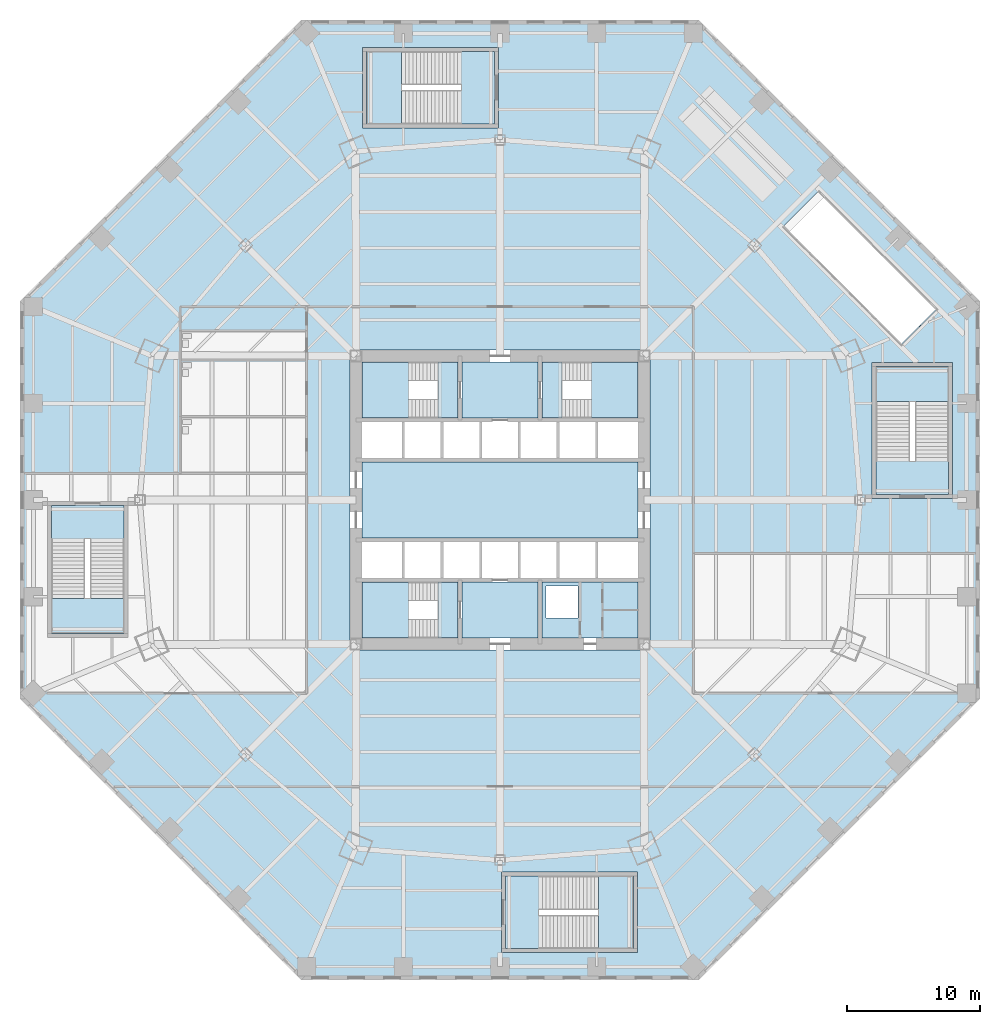
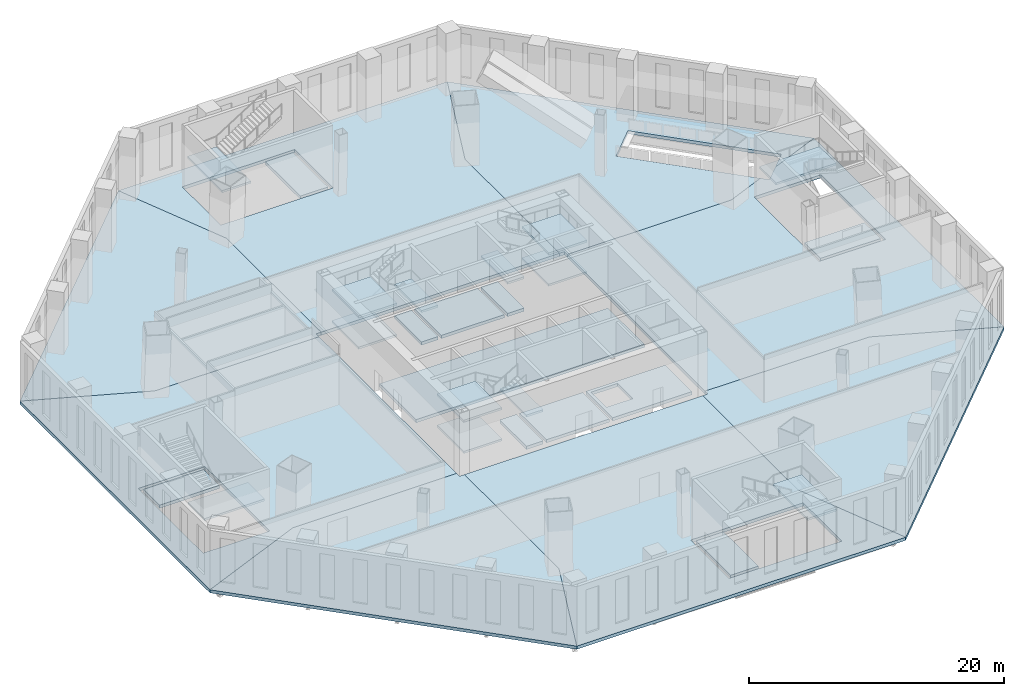
# One storey, part 7 of 20: 32 slabs, 7 elements without a shape of their own.
"""IFC4 building model written with IfcOpenShell, lengths in metres."""

from ifc_helpers import new_model, si_unit, direction, frame, origin, place, context, subcontext, project, spatial, polyline, outline, extrude, material, layer, layer_set, type_object, element, aggregate, save


model = new_model("IFC4")

# Units and contexts
model_context = context("Model", 3, precision=1e-05, world=origin(), true_north=direction((0.0, 1.0)))
body_context = subcontext(model_context, "Body", "Model", "MODEL_VIEW")
ifc_project = project(units=[si_unit("LENGTHUNIT", "METRE"), si_unit("AREAUNIT", "SQUARE_METRE"), si_unit("VOLUMEUNIT", "CUBIC_METRE"), si_unit("PLANEANGLEUNIT", "RADIAN"), si_unit("MASSUNIT", "GRAM", prefix="KILO")], contexts=[model_context])

# Site, building, storey
site_placement = place(None, origin())
site = spatial("IfcSite", under=ifc_project, at=site_placement, CompositionType="ELEMENT")
building_placement = place(site_placement, origin())
building = spatial("IfcBuilding", under=site, at=building_placement, Name="Mashrafa Tower", CompositionType="ELEMENT")
storey_placement = place(building_placement, frame((0.0, 0.0, 7.199951171875)))
storey = spatial("IfcBuildingStorey", under=building, at=storey_placement, Name="L01", CompositionType="ELEMENT", Elevation=7.199951171875)

# Slabs
ifc_material_1 = material(Name="Concrete C35/45", Category="concrete")
ifc_layer_1 = layer(ifc_material_1, 0.300048828125)
ifc_layer_set_1 = layer_set([ifc_layer_1], Name="Floor slab 300")
slab_type_1 = type_object("IfcSlabType", Name="Floor slab 300", PredefinedType="FLOOR", material=ifc_layer_set_1)
slab_1_placement = place(storey_placement, frame((0.0, 0.0, -0.300048828125)))
element("IfcSlab", 1, at=slab_1_placement, inside=storey, type_object=slab_type_1, Name="Floor slab L01 east bay", PredefinedType="FLOOR", context=body_context, shape_type="SweptSolid", body=[
    extrude(outline(polyline([(36.0, 14.91162109375), (36.0, -14.91162109375), (36.0, -14.91162109375), (26.141357421875, -10.828125), (11.25, -10.80078125), (11.25, 10.80078125), (26.141357421875, 10.828125), (29.60009765625, 12.2607421875), (30.122802734375, 11.738037109375), (31.384765625, 13.0), (36.0, 14.91162109375), (36.0, 14.91162109375)]), holes=[polyline([(27.89990234375, 0.10009765625), (33.949951171875, 0.10009765625), (33.949951171875, 10.300048828125), (27.89990234375, 10.300048828125), (27.89990234375, 0.10009765625)])]), origin(), (0.0, 0.0, 1.0), 0.300048828125),
])
slab_2_placement = place(storey_placement, frame((0.0, 0.0, -0.300048828125)))
element("IfcSlab", 2, at=slab_2_placement, inside=storey, type_object=slab_type_1, Name="Floor slab L01 north-east bay", PredefinedType="FLOOR", context=body_context, shape_type="SweptSolid", body=[
    extrude(outline(polyline([(36.0, 14.91162109375), (31.384765625, 13.0), (32.668212890625, 14.283447265625), (23.85009765625, 23.101806640625), (21.3046875, 20.55615234375), (29.60009765625, 12.2607421875), (26.141357421875, 10.828125), (11.25, 10.80078125), (11.25, 11.25), (10.80078125, 11.25), (10.828125, 26.141357421875), (14.91162109375, 36.0), (36.0, 14.91162109375)])), origin(), (0.0, 0.0, 1.0), 0.300048828125),
])
slab_3_placement = place(storey_placement, frame((0.0, 0.0, -0.300048828125)))
element("IfcSlab", 3, at=slab_3_placement, inside=storey, type_object=slab_type_1, Name="Floor slab L01 north bay", PredefinedType="FLOOR", context=body_context, shape_type="SweptSolid", body=[
    extrude(outline(polyline([(-14.91162109375, 36.0), (14.91162109375, 36.0), (14.91162109375, 36.0), (10.828125, 26.141357421875), (10.80078125, 11.25), (-10.80078125, 11.25), (-10.828125, 26.141357421875), (-14.91162109375, 36.0), (-14.91162109375, 36.0)]), holes=[polyline([(-0.10009765625, 27.89990234375), (-0.10009765625, 33.949951171875), (-10.300048828125, 33.949951171875), (-10.300048828125, 27.89990234375), (-0.10009765625, 27.89990234375)])]), origin(), (0.0, 0.0, 1.0), 0.300048828125),
])
slab_4_placement = place(storey_placement, frame((0.0, 0.0, -0.300048828125)))
element("IfcSlab", 4, at=slab_4_placement, inside=storey, type_object=slab_type_1, Name="Floor slab L01 north-west bay", PredefinedType="FLOOR", context=body_context, shape_type="SweptSolid", body=[
    extrude(outline(polyline([(-14.91162109375, 36.0), (-10.828125, 26.141357421875), (-10.80078125, 11.25), (-11.25, 11.25), (-11.25, 10.80078125), (-26.141357421875, 10.828125), (-36.0, 14.91162109375), (-14.91162109375, 36.0)])), origin(), (0.0, 0.0, 1.0), 0.300048828125),
])
slab_5_placement = place(storey_placement, frame((0.0, 0.0, -0.300048828125)))
element("IfcSlab", 5, at=slab_5_placement, inside=storey, type_object=slab_type_1, Name="Floor slab L01 west bay", PredefinedType="FLOOR", context=body_context, shape_type="SweptSolid", body=[
    extrude(outline(polyline([(-36.0, -14.91162109375), (-36.0, 14.91162109375), (-36.0, 14.91162109375), (-26.141357421875, 10.828125), (-11.25, 10.80078125), (-11.25, -10.80078125), (-26.141357421875, -10.828125), (-36.0, -14.91162109375), (-36.0, -14.91162109375)]), holes=[polyline([(-27.89990234375, -10.300048828125), (-27.89990234375, -0.10009765625), (-33.949951171875, -0.10009765625), (-33.949951171875, -10.300048828125), (-27.89990234375, -10.300048828125)])]), origin(), (0.0, 0.0, 1.0), 0.300048828125),
])
slab_6_placement = place(storey_placement, frame((0.0, 0.0, -0.300048828125)))
element("IfcSlab", 6, at=slab_6_placement, inside=storey, type_object=slab_type_1, Name="Floor slab L01 south-west bay", PredefinedType="FLOOR", context=body_context, shape_type="SweptSolid", body=[
    extrude(outline(polyline([(-36.0, -14.91162109375), (-26.141357421875, -10.828125), (-11.25, -10.80078125), (-11.25, -11.25), (-10.80078125, -11.25), (-10.828125, -26.141357421875), (-14.91162109375, -36.0), (-36.0, -14.91162109375)])), origin(), (0.0, 0.0, 1.0), 0.300048828125),
])
slab_7_placement = place(storey_placement, frame((0.0, 0.0, -0.300048828125)))
element("IfcSlab", 7, at=slab_7_placement, inside=storey, type_object=slab_type_1, Name="Floor slab L01 south bay", PredefinedType="FLOOR", context=body_context, shape_type="SweptSolid", body=[
    extrude(outline(polyline([(-14.91162109375, -36.0), (-14.91162109375, -36.0), (-10.828125, -26.141357421875), (-10.80078125, -11.25), (10.80078125, -11.25), (10.828125, -26.141357421875), (14.91162109375, -36.0), (14.91162109375, -36.0), (-14.91162109375, -36.0)]), holes=[polyline([(10.300048828125, -33.949951171875), (10.300048828125, -27.89990234375), (0.10009765625, -27.89990234375), (0.10009765625, -33.949951171875), (10.300048828125, -33.949951171875)])]), origin(), (0.0, 0.0, 1.0), 0.300048828125),
])
slab_8_placement = place(storey_placement, frame((0.0, 0.0, -0.300048828125)))
element("IfcSlab", 8, at=slab_8_placement, inside=storey, type_object=slab_type_1, Name="Floor slab L01 south-east bay", PredefinedType="FLOOR", context=body_context, shape_type="SweptSolid", body=[
    extrude(outline(polyline([(14.91162109375, -36.0), (10.828125, -26.141357421875), (10.80078125, -11.25), (11.25, -11.25), (11.25, -10.80078125), (26.141357421875, -10.828125), (36.0, -14.91162109375), (14.91162109375, -36.0)])), origin(), (0.0, 0.0, 1.0), 0.300048828125),
])
slab_9_placement = place(storey_placement, frame((0.0, 0.0, -0.300048828125)))
element("IfcSlab", 9, at=slab_9_placement, inside=storey, type_object=slab_type_1, Name="Core floor lift hall L01", PredefinedType="FLOOR", context=body_context, shape_type="SweptSolid", body=[
    extrude(outline(polyline([(-10.35009765625, 2.85009765625), (10.35009765625, 2.85009765625), (10.35009765625, -2.85009765625), (-10.35009765625, -2.85009765625), (-10.35009765625, 2.85009765625)])), origin(), (0.0, 0.0, 1.0), 0.300048828125),
])
slab_10_placement = place(storey_placement, frame((0.0, 0.0, -0.300048828125)))
element("IfcSlab", 10, at=slab_10_placement, inside=storey, type_object=slab_type_1, Name="Core floor riser and electrical band L01", PredefinedType="FLOOR", context=body_context, shape_type="SweptSolid", body=[
    extrude(outline(polyline([(10.35009765625, -6.14990234375), (10.35009765625, -10.35009765625), (3.14990234375, -10.35009765625), (3.14990234375, -6.14990234375), (10.35009765625, -6.14990234375)]), holes=[polyline([(3.449951171875, -6.449951171875), (3.449951171875, -8.85009765625), (5.85009765625, -8.85009765625), (5.85009765625, -6.449951171875), (3.449951171875, -6.449951171875)])]), origin(), (0.0, 0.0, 1.0), 0.300048828125),
])
slab_11_placement = place(storey_placement, frame((0.0, 0.0, -0.300048828125)))
element("IfcSlab", 11, at=slab_11_placement, inside=storey, type_object=slab_type_1, Name="Core floor fire-fighting lobby south L01", PredefinedType="FLOOR", context=body_context, shape_type="SweptSolid", body=[
    extrude(outline(polyline([(2.85009765625, -6.14990234375), (2.85009765625, -10.35009765625), (-2.85009765625, -10.35009765625), (-2.85009765625, -6.14990234375), (2.85009765625, -6.14990234375)])), origin(), (0.0, 0.0, 1.0), 0.300048828125),
])
slab_12_placement = place(storey_placement, frame((0.0, 0.0, -0.300048828125)))
element("IfcSlab", 12, at=slab_12_placement, inside=storey, type_object=slab_type_1, Name="Core floor fire-fighting lobby north L01", PredefinedType="FLOOR", context=body_context, shape_type="SweptSolid", body=[
    extrude(outline(polyline([(-2.85009765625, 10.35009765625), (2.85009765625, 10.35009765625), (2.85009765625, 6.14990234375), (-2.85009765625, 6.14990234375), (-2.85009765625, 10.35009765625)])), origin(), (0.0, 0.0, 1.0), 0.300048828125),
])

# Stair, slabs
ifc_material_2 = material(Name="Exit stair 1400")
stair_type_1 = type_object("IfcStairType", Name="Exit stair 1400", PredefinedType="HALF_TURN_STAIR", material=ifc_material_2)
stair_1_placement = place(storey_placement, origin())
stair_1 = element("IfcStair", 13, at=stair_1_placement, inside=storey, type_object=stair_type_1, Name="Stair S1 L01", PredefinedType="HALF_TURN_STAIR")
ifc_material_3 = material(Name="Concrete C32/40", Category="concrete")
ifc_layer_2 = layer(ifc_material_3, 0.199951171875)
ifc_layer_set_2 = layer_set([ifc_layer_2], Name="Stair landing 200")
slab_type_2 = type_object("IfcSlabType", Name="Stair landing 200", PredefinedType="LANDING", material=ifc_layer_set_2)
slab_13_placement = place(storey_placement, frame((0.0, 0.0, 1.300048828125)))
slab_13 = element("IfcSlab", 14, at=slab_13_placement, type_object=slab_type_2, Name="S1 landing 2", PredefinedType="LANDING", context=body_context, shape_type="SweptSolid", body=[
    extrude(outline(polyline([(-10.35009765625, 6.14990234375), (-6.8798828125, 6.14990234375), (-6.8798828125, 10.35009765625), (-10.35009765625, 10.35009765625), (-10.35009765625, 6.14990234375)])), origin(), (0.0, 0.0, 1.0), 0.199951171875),
])
slab_14_placement = place(storey_placement, frame((0.0, 0.0, 2.800048828125)))
slab_14 = element("IfcSlab", 15, at=slab_14_placement, type_object=slab_type_2, Name="S1 landing 3", PredefinedType="LANDING", context=body_context, shape_type="SweptSolid", body=[
    extrude(outline(polyline([(-4.659912109375, 6.14990234375), (-3.14990234375, 6.14990234375), (-3.14990234375, 10.35009765625), (-4.659912109375, 10.35009765625), (-4.659912109375, 6.14990234375)])), origin(), (0.0, 0.0, 1.0), 0.199951171875),
])
slab_15_placement = place(storey_placement, frame((0.0, 0.0, 4.300048828125)))
slab_15 = element("IfcSlab", 16, at=slab_15_placement, type_object=slab_type_2, Name="S1 landing 4", PredefinedType="LANDING", context=body_context, shape_type="SweptSolid", body=[
    extrude(outline(polyline([(-10.35009765625, 6.14990234375), (-6.8798828125, 6.14990234375), (-6.8798828125, 10.35009765625), (-10.35009765625, 10.35009765625), (-10.35009765625, 6.14990234375)])), origin(), (0.0, 0.0, 1.0), 0.199951171875),
])

stair_2_placement = place(storey_placement, origin())
stair_2 = element("IfcStair", 17, at=stair_2_placement, inside=storey, type_object=stair_type_1, Name="Stair S2 L01", PredefinedType="HALF_TURN_STAIR")
slab_16_placement = place(storey_placement, frame((0.0, 0.0, 1.300048828125)))
slab_16 = element("IfcSlab", 18, at=slab_16_placement, type_object=slab_type_2, Name="S2 landing 2", PredefinedType="LANDING", context=body_context, shape_type="SweptSolid", body=[
    extrude(outline(polyline([(6.8798828125, 6.14990234375), (10.35009765625, 6.14990234375), (10.35009765625, 10.35009765625), (6.8798828125, 10.35009765625), (6.8798828125, 6.14990234375)])), origin(), (0.0, 0.0, 1.0), 0.199951171875),
])
slab_17_placement = place(storey_placement, frame((0.0, 0.0, 2.800048828125)))
slab_17 = element("IfcSlab", 19, at=slab_17_placement, type_object=slab_type_2, Name="S2 landing 3", PredefinedType="LANDING", context=body_context, shape_type="SweptSolid", body=[
    extrude(outline(polyline([(3.14990234375, 6.14990234375), (4.659912109375, 6.14990234375), (4.659912109375, 10.35009765625), (3.14990234375, 10.35009765625), (3.14990234375, 6.14990234375)])), origin(), (0.0, 0.0, 1.0), 0.199951171875),
])
slab_18_placement = place(storey_placement, frame((0.0, 0.0, 4.300048828125)))
slab_18 = element("IfcSlab", 20, at=slab_18_placement, type_object=slab_type_2, Name="S2 landing 4", PredefinedType="LANDING", context=body_context, shape_type="SweptSolid", body=[
    extrude(outline(polyline([(6.8798828125, 6.14990234375), (10.35009765625, 6.14990234375), (10.35009765625, 10.35009765625), (6.8798828125, 10.35009765625), (6.8798828125, 6.14990234375)])), origin(), (0.0, 0.0, 1.0), 0.199951171875),
])

stair_3_placement = place(storey_placement, origin())
stair_3 = element("IfcStair", 21, at=stair_3_placement, inside=storey, type_object=stair_type_1, Name="Stair S3 L01", PredefinedType="HALF_TURN_STAIR")
slab_19_placement = place(storey_placement, frame((0.0, 0.0, 1.300048828125)))
slab_19 = element("IfcSlab", 22, at=slab_19_placement, type_object=slab_type_2, Name="S3 landing 2", PredefinedType="LANDING", context=body_context, shape_type="SweptSolid", body=[
    extrude(outline(polyline([(-10.35009765625, -10.35009765625), (-6.8798828125, -10.35009765625), (-6.8798828125, -6.14990234375), (-10.35009765625, -6.14990234375), (-10.35009765625, -10.35009765625)])), origin(), (0.0, 0.0, 1.0), 0.199951171875),
])
slab_20_placement = place(storey_placement, frame((0.0, 0.0, 2.800048828125)))
slab_20 = element("IfcSlab", 23, at=slab_20_placement, type_object=slab_type_2, Name="S3 landing 3", PredefinedType="LANDING", context=body_context, shape_type="SweptSolid", body=[
    extrude(outline(polyline([(-4.659912109375, -10.35009765625), (-3.14990234375, -10.35009765625), (-3.14990234375, -6.14990234375), (-4.659912109375, -6.14990234375), (-4.659912109375, -10.35009765625)])), origin(), (0.0, 0.0, 1.0), 0.199951171875),
])
slab_21_placement = place(storey_placement, frame((0.0, 0.0, 4.300048828125)))
slab_21 = element("IfcSlab", 24, at=slab_21_placement, type_object=slab_type_2, Name="S3 landing 4", PredefinedType="LANDING", context=body_context, shape_type="SweptSolid", body=[
    extrude(outline(polyline([(-10.35009765625, -10.35009765625), (-6.8798828125, -10.35009765625), (-6.8798828125, -6.14990234375), (-10.35009765625, -6.14990234375), (-10.35009765625, -10.35009765625)])), origin(), (0.0, 0.0, 1.0), 0.199951171875),
])

# Stair, slab
ifc_material_4 = material(Name="Exit stair 2500")
stair_type_2 = type_object("IfcStairType", Name="Exit stair 2500", PredefinedType="HALF_TURN_STAIR", material=ifc_material_4)
stair_4_placement = place(storey_placement, origin())
stair_4 = element("IfcStair", 25, at=stair_4_placement, inside=storey, type_object=stair_type_2, Name="Stair P1 L01", PredefinedType="HALF_TURN_STAIR")
slab_22_placement = place(storey_placement, frame((0.0, 0.0, 2.800048828125)))
slab_22 = element("IfcSlab", 26, at=slab_22_placement, type_object=slab_type_2, Name="P1 landing 2", PredefinedType="LANDING", context=body_context, shape_type="SweptSolid", body=[
    extrude(outline(polyline([(33.64990234375, 7.3701171875), (33.64990234375, 10.0), (28.199951171875, 10.0), (28.199951171875, 7.3701171875), (33.64990234375, 7.3701171875)])), origin(), (0.0, 0.0, 1.0), 0.199951171875),
])

stair_5_placement = place(storey_placement, origin())
stair_5 = element("IfcStair", 27, at=stair_5_placement, inside=storey, type_object=stair_type_2, Name="Stair P2 L01", PredefinedType="HALF_TURN_STAIR")
slab_23_placement = place(storey_placement, frame((0.0, 0.0, 2.800048828125)))
slab_23 = element("IfcSlab", 28, at=slab_23_placement, type_object=slab_type_2, Name="P2 landing 2", PredefinedType="LANDING", context=body_context, shape_type="SweptSolid", body=[
    extrude(outline(polyline([(-10.0, 28.199951171875), (-7.3701171875, 28.199951171875), (-7.3701171875, 33.64990234375), (-10.0, 33.64990234375), (-10.0, 28.199951171875)])), origin(), (0.0, 0.0, 1.0), 0.199951171875),
])

stair_6_placement = place(storey_placement, origin())
stair_6 = element("IfcStair", 29, at=stair_6_placement, inside=storey, type_object=stair_type_2, Name="Stair P3 L01", PredefinedType="HALF_TURN_STAIR")
slab_24_placement = place(storey_placement, frame((0.0, 0.0, 2.800048828125)))
slab_24 = element("IfcSlab", 30, at=slab_24_placement, type_object=slab_type_2, Name="P3 landing 2", PredefinedType="LANDING", context=body_context, shape_type="SweptSolid", body=[
    extrude(outline(polyline([(-28.199951171875, -10.0), (-28.199951171875, -7.3701171875), (-33.64990234375, -7.3701171875), (-33.64990234375, -10.0), (-28.199951171875, -10.0)])), origin(), (0.0, 0.0, 1.0), 0.199951171875),
])

stair_7_placement = place(storey_placement, origin())
stair_7 = element("IfcStair", 31, at=stair_7_placement, inside=storey, type_object=stair_type_2, Name="Stair P4 L01", PredefinedType="HALF_TURN_STAIR")
slab_25_placement = place(storey_placement, frame((0.0, 0.0, 2.800048828125)))
slab_25 = element("IfcSlab", 32, at=slab_25_placement, type_object=slab_type_2, Name="P4 landing 2", PredefinedType="LANDING", context=body_context, shape_type="SweptSolid", body=[
    extrude(outline(polyline([(7.3701171875, -33.64990234375), (10.0, -33.64990234375), (10.0, -28.199951171875), (7.3701171875, -28.199951171875), (7.3701171875, -33.64990234375)])), origin(), (0.0, 0.0, 1.0), 0.199951171875),
])

# Slab
ifc_material_5 = material(Name="Concrete C32/40", Category="concrete")
ifc_layer_3 = layer(ifc_material_5, 0.300048828125)
ifc_layer_set_3 = layer_set([ifc_layer_3], Name="Stair landing 300")
slab_type_3 = type_object("IfcSlabType", Name="Stair landing 300", PredefinedType="LANDING", material=ifc_layer_set_3)
slab_26_placement = place(storey_placement, frame((0.0, 0.0, -0.300048828125)))
slab_26 = element("IfcSlab", 33, at=slab_26_placement, type_object=slab_type_3, Name="S1 landing 1", PredefinedType="LANDING", context=body_context, shape_type="SweptSolid", body=[
    extrude(outline(polyline([(-4.659912109375, 6.14990234375), (-3.14990234375, 6.14990234375), (-3.14990234375, 10.35009765625), (-4.659912109375, 10.35009765625), (-4.659912109375, 6.14990234375)])), origin(), (0.0, 0.0, 1.0), 0.300048828125),
])

aggregate(stair_1, [slab_26, slab_13, slab_14, slab_15])

slab_27_placement = place(storey_placement, frame((0.0, 0.0, -0.300048828125)))
slab_27 = element("IfcSlab", 34, at=slab_27_placement, type_object=slab_type_3, Name="S2 landing 1", PredefinedType="LANDING", context=body_context, shape_type="SweptSolid", body=[
    extrude(outline(polyline([(3.14990234375, 6.14990234375), (4.659912109375, 6.14990234375), (4.659912109375, 10.35009765625), (3.14990234375, 10.35009765625), (3.14990234375, 6.14990234375)])), origin(), (0.0, 0.0, 1.0), 0.300048828125),
])

aggregate(stair_2, [slab_27, slab_16, slab_17, slab_18])

slab_28_placement = place(storey_placement, frame((0.0, 0.0, -0.300048828125)))
slab_28 = element("IfcSlab", 35, at=slab_28_placement, type_object=slab_type_3, Name="S3 landing 1", PredefinedType="LANDING", context=body_context, shape_type="SweptSolid", body=[
    extrude(outline(polyline([(-4.659912109375, -10.35009765625), (-3.14990234375, -10.35009765625), (-3.14990234375, -6.14990234375), (-4.659912109375, -6.14990234375), (-4.659912109375, -10.35009765625)])), origin(), (0.0, 0.0, 1.0), 0.300048828125),
])

aggregate(stair_3, [slab_28, slab_19, slab_20, slab_21])

slab_29_placement = place(storey_placement, frame((0.0, 0.0, -0.300048828125)))
slab_29 = element("IfcSlab", 36, at=slab_29_placement, type_object=slab_type_3, Name="P1 landing 1", PredefinedType="LANDING", context=body_context, shape_type="SweptSolid", body=[
    extrude(outline(polyline([(33.64990234375, 0.39990234375), (33.64990234375, 2.909912109375), (28.199951171875, 2.909912109375), (28.199951171875, 0.39990234375), (33.64990234375, 0.39990234375)])), origin(), (0.0, 0.0, 1.0), 0.300048828125),
])

aggregate(stair_4, [slab_29, slab_22])

slab_30_placement = place(storey_placement, frame((0.0, 0.0, -0.300048828125)))
slab_30 = element("IfcSlab", 37, at=slab_30_placement, type_object=slab_type_3, Name="P2 landing 1", PredefinedType="LANDING", context=body_context, shape_type="SweptSolid", body=[
    extrude(outline(polyline([(-2.909912109375, 28.199951171875), (-0.39990234375, 28.199951171875), (-0.39990234375, 33.64990234375), (-2.909912109375, 33.64990234375), (-2.909912109375, 28.199951171875)])), origin(), (0.0, 0.0, 1.0), 0.300048828125),
])

aggregate(stair_5, [slab_30, slab_23])

slab_31_placement = place(storey_placement, frame((0.0, 0.0, -0.300048828125)))
slab_31 = element("IfcSlab", 38, at=slab_31_placement, type_object=slab_type_3, Name="P3 landing 1", PredefinedType="LANDING", context=body_context, shape_type="SweptSolid", body=[
    extrude(outline(polyline([(-28.199951171875, -2.909912109375), (-28.199951171875, -0.39990234375), (-33.64990234375, -0.39990234375), (-33.64990234375, -2.909912109375), (-28.199951171875, -2.909912109375)])), origin(), (0.0, 0.0, 1.0), 0.300048828125),
])

aggregate(stair_6, [slab_31, slab_24])

slab_32_placement = place(storey_placement, frame((0.0, 0.0, -0.300048828125)))
slab_32 = element("IfcSlab", 39, at=slab_32_placement, type_object=slab_type_3, Name="P4 landing 1", PredefinedType="LANDING", context=body_context, shape_type="SweptSolid", body=[
    extrude(outline(polyline([(0.39990234375, -33.64990234375), (2.909912109375, -33.64990234375), (2.909912109375, -28.199951171875), (0.39990234375, -28.199951171875), (0.39990234375, -33.64990234375)])), origin(), (0.0, 0.0, 1.0), 0.300048828125),
])

aggregate(stair_7, [slab_32, slab_25])

save(model, "model.ifc")
